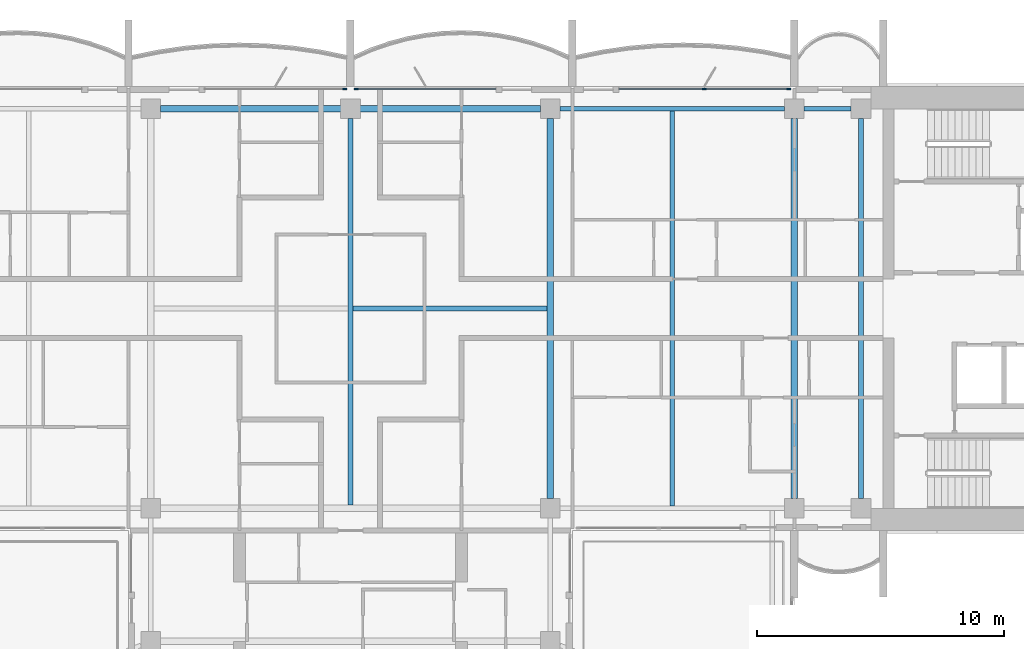
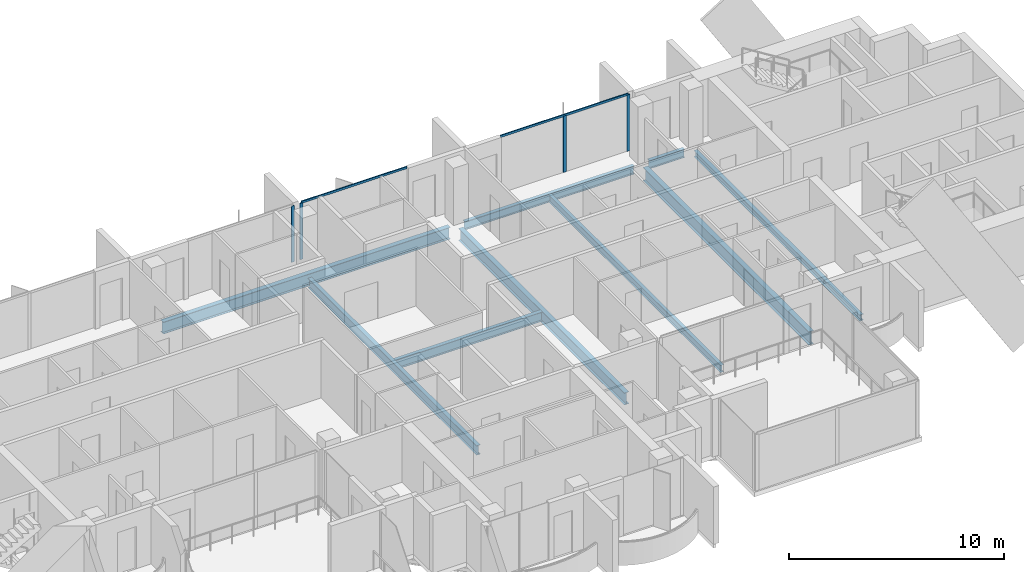
# One storey, part 4 of 16: 9 beams, 6 members, 3 elements without a shape of their own.
"""IFC4 building model written with IfcOpenShell, lengths in metres."""

from ifc_helpers import new_model, si_unit, direction, frame, origin, origin_2d, place, context, subcontext, project, spatial, rectangle, i_section, extrude, material, material_profile, profile_set, type_object, element, aggregate, save


model = new_model("IFC4")

# Units and contexts
model_context = context("Model", 3, precision=1e-05, world=origin(), true_north=direction((0.0, 1.0)))
body_context = subcontext(model_context, "Body", "Model", "MODEL_VIEW")
ifc_project = project(units=[si_unit("LENGTHUNIT", "METRE"), si_unit("AREAUNIT", "SQUARE_METRE"), si_unit("VOLUMEUNIT", "CUBIC_METRE"), si_unit("PLANEANGLEUNIT", "RADIAN"), si_unit("MASSUNIT", "GRAM", prefix="KILO")], contexts=[model_context])

# Site, building, storey
site_placement = place(None, origin())
site = spatial("IfcSite", under=ifc_project, at=site_placement, CompositionType="ELEMENT")
building_placement = place(site_placement, origin())
building = spatial("IfcBuilding", under=site, at=building_placement, Name="Perihelion Cross Residences", CompositionType="ELEMENT")
storey_placement = place(building_placement, frame((0.0, 0.0, 260.5)))
storey = spatial("IfcBuildingStorey", under=building, at=storey_placement, Name="L66", CompositionType="ELEMENT", Elevation=260.5)

# Curtain wall, members
ifc_material_1 = material(Name="Bronze anodised aluminium, tinted glazing", Category="aluminium")
curtain_wall_type = type_object("IfcCurtainWallType", Name="CW1", PredefinedType="NOTDEFINED", material=ifc_material_1)
curtain_wall_1_placement = place(storey_placement, origin())
curtain_wall_1 = element("IfcCurtainWall", 1, at=curtain_wall_1_placement, inside=storey, type_object=curtain_wall_type, Name="Curtain wall CW1 L66 east side north bay 2", PredefinedType="NOTDEFINED")
ifc_material_2 = material(Name="Bronze anodised aluminium", Category="aluminium")
ifc_material_profile_1 = material_profile(ifc_material_2, rectangle(XDim=0.06005859375, YDim=0.159912109375, at=origin_2d()), Name="CW1 mullion")
ifc_profile_set_1 = profile_set([ifc_material_profile_1], Name="Bronze anodised aluminium")
member_type_1 = type_object("IfcMemberType", Name="CW1 mullion", PredefinedType="MULLION", material=ifc_profile_set_1)
member_1_placement = place(storey_placement, frame((17.77001953125, 8.89990234375, 0.0), z_axis=(0.0, 0.0, 1.0), x_axis=(0.0, -1.0, 0.0)))
member_1 = element("IfcMember", 2, at=member_1_placement, type_object=member_type_1, Name="CW1 mullion 1", PredefinedType="MULLION", context=body_context, shape_type="SweptSolid", body=[
    extrude(rectangle(XDim=0.06005859375, YDim=0.159912109375, at=origin_2d()), origin(), (0.0, 0.0, 1.0), 3.18994140625),
])
member_2_placement = place(storey_placement, frame((14.35009765625, 8.89990234375, 0.0), z_axis=(0.0, 0.0, 1.0), x_axis=(0.0, -1.0, 0.0)))
member_2 = element("IfcMember", 3, at=member_2_placement, type_object=member_type_1, Name="CW1 mullion 2", PredefinedType="MULLION", context=body_context, shape_type="SweptSolid", body=[
    extrude(rectangle(XDim=0.06005859375, YDim=0.159912109375, at=origin_2d()), origin(), (0.0, 0.0, 1.0), 3.18994140625),
])

# Curtain wall, member
curtain_wall_2_placement = place(storey_placement, origin())
curtain_wall_2 = element("IfcCurtainWall", 4, at=curtain_wall_2_placement, inside=storey, type_object=curtain_wall_type, Name="Curtain wall CW1 L66 north side east bay 1", PredefinedType="NOTDEFINED")
member_3_placement = place(storey_placement, frame((0.22998046875, 8.89990234375, 0.0), z_axis=(0.0, 0.0, 1.0), x_axis=(0.0, -1.0, 0.0)))
member_3 = element("IfcMember", 5, at=member_3_placement, type_object=member_type_1, Name="CW1 mullion 2", PredefinedType="MULLION", context=body_context, shape_type="SweptSolid", body=[
    extrude(rectangle(XDim=0.06005859375, YDim=0.159912109375, at=origin_2d()), origin(), (0.0, 0.0, 1.0), 3.18994140625),
])

curtain_wall_3_placement = place(storey_placement, origin())
curtain_wall_3 = element("IfcCurtainWall", 6, at=curtain_wall_3_placement, inside=storey, type_object=curtain_wall_type, Name="Curtain wall CW1 L66 north side east bay 2", PredefinedType="NOTDEFINED")
member_4_placement = place(storey_placement, frame((-0.22998046875, 8.89990234375, 0.0), z_axis=(0.0, 0.0, 1.0), x_axis=(0.0, -1.0, 0.0)))
member_4 = element("IfcMember", 7, at=member_4_placement, type_object=member_type_1, Name="CW1 mullion 1", PredefinedType="MULLION", context=body_context, shape_type="SweptSolid", body=[
    extrude(rectangle(XDim=0.06005859375, YDim=0.159912109375, at=origin_2d()), origin(), (0.0, 0.0, 1.0), 3.18994140625),
])
aggregate(curtain_wall_3, [member_4])

# Member
ifc_material_3 = material(Name="Bronze anodised aluminium", Category="aluminium")
ifc_material_profile_2 = material_profile(ifc_material_3, rectangle(XDim=0.06005859375, YDim=0.1201171875, at=origin_2d()), Name="CW1 transom")
ifc_profile_set_2 = profile_set([ifc_material_profile_2], Name="Bronze anodised aluminium")
member_type_2 = type_object("IfcMemberType", Name="CW1 transom", PredefinedType="USERDEFINED", material=ifc_profile_set_2)
member_5_placement = place(storey_placement, frame((17.77001953125, 8.89990234375, 3.219970703125), z_axis=(-1.0, 0.0, 0.0), x_axis=(0.0, -1.0, 0.0)))
member_5 = element("IfcMember", 8, at=member_5_placement, type_object=member_type_2, Name="CW1 head transom", ObjectType="TRANSOM", PredefinedType="USERDEFINED", context=body_context, shape_type="SweptSolid", body=[
    extrude(rectangle(XDim=0.06005859375, YDim=0.1201171875, at=origin_2d()), origin(), (0.0, 0.0, 1.0), 6.8701171875),
])

aggregate(curtain_wall_1, [member_1, member_2, member_5])

member_6_placement = place(storey_placement, frame((5.89990234375, 8.89990234375, 3.219970703125), z_axis=(-1.0, 0.0, 0.0), x_axis=(0.0, -1.0, 0.0)))
member_6 = element("IfcMember", 9, at=member_6_placement, type_object=member_type_2, Name="CW1 head transom", ObjectType="TRANSOM", PredefinedType="USERDEFINED", context=body_context, shape_type="SweptSolid", body=[
    extrude(rectangle(XDim=0.06005859375, YDim=0.1201171875, at=origin_2d()), origin(), (0.0, 0.0, 1.0), 5.669921875),
])

aggregate(curtain_wall_2, [member_3, member_6])

# Beams
ifc_material_4 = material(Name="Steel S355", Category="steel")
ifc_material_profile_3 = material_profile(ifc_material_4, i_section(OverallWidth=0.205078125, OverallDepth=0.35302734375, WebThickness=0.009521484375, FlangeThickness=0.016845703125, at=origin_2d()), Name="W360x79")
ifc_profile_set_3 = profile_set([ifc_material_profile_3], Name="Steel S355")
beam_type_1 = type_object("IfcBeamType", Name="Core edge beam W360x79", PredefinedType="BEAM", material=ifc_profile_set_3)
beam_1_placement = place(storey_placement, frame((20.699951171875, -7.699951171875, -0.426513671875), z_axis=(0.0, 1.0, 0.0), x_axis=(-1.0, 0.0, 0.0)))
element("IfcBeam", 10, at=beam_1_placement, inside=storey, type_object=beam_type_1, Name="Core edge beam TB7 L66 no. 2", PredefinedType="BEAM", context=body_context, shape_type="SweptSolid", body=[
    extrude(i_section(OverallWidth=0.205078125, OverallDepth=0.35302734375, WebThickness=0.009521484375, FlangeThickness=0.016845703125, at=origin_2d()), origin(), (0.0, 0.0, 1.0), 15.39990234375),
])
ifc_material_5 = material(Name="Steel S355", Category="steel")
ifc_material_profile_4 = material_profile(ifc_material_5, i_section(OverallWidth=0.194091796875, OverallDepth=0.469970703125, WebThickness=0.0126953125, FlangeThickness=0.0205078125, at=origin_2d()), Name="W460x106")
ifc_profile_set_4 = profile_set([ifc_material_profile_4], Name="Steel S355")
beam_type_2 = type_object("IfcBeamType", Name="Edge beam W460x106", PredefinedType="SPANDREL", material=ifc_profile_set_4)
beam_2_placement = place(storey_placement, frame((20.300048828125, 8.10009765625, -0.485107421875), z_axis=(-1.0, 0.0, 0.0), x_axis=(0.0, -1.0, 0.0)))
element("IfcBeam", 11, at=beam_2_placement, inside=storey, type_object=beam_type_2, Name="Edge beam SB5 L66 no. 10", PredefinedType="SPANDREL", context=body_context, shape_type="SweptSolid", body=[
    extrude(i_section(OverallWidth=0.194091796875, OverallDepth=0.469970703125, WebThickness=0.0126953125, FlangeThickness=0.0205078125, at=origin_2d()), origin(), (0.0, 0.0, 1.0), 1.900146484375),
])
beam_3_placement = place(storey_placement, frame((17.60009765625, 8.10009765625, -0.485107421875), z_axis=(-1.0, 0.0, 0.0), x_axis=(0.0, -1.0, 0.0)))
element("IfcBeam", 12, at=beam_3_placement, inside=storey, type_object=beam_type_2, Name="Edge beam SB5 L66 no. 9", PredefinedType="SPANDREL", context=body_context, shape_type="SweptSolid", body=[
    extrude(i_section(OverallWidth=0.194091796875, OverallDepth=0.469970703125, WebThickness=0.0126953125, FlangeThickness=0.0205078125, at=origin_2d()), origin(), (0.0, 0.0, 1.0), 9.10009765625),
])
ifc_material_6 = material(Name="Steel S355", Category="steel")
ifc_material_profile_5 = material_profile(ifc_material_6, i_section(OverallWidth=0.26708984375, OverallDepth=0.75390625, WebThickness=0.01318359375, FlangeThickness=0.01708984375, at=origin_2d()), Name="W760x147")
ifc_profile_set_5 = profile_set([ifc_material_profile_5], Name="Steel S355")
beam_type_3 = type_object("IfcBeamType", Name="Floor girder W760x147", PredefinedType="BEAM", material=ifc_profile_set_5)
beam_4_placement = place(storey_placement, frame((18.0, -7.699951171875, -0.626953125), z_axis=(0.0, 1.0, 0.0), x_axis=(-1.0, 0.0, 0.0)))
element("IfcBeam", 13, at=beam_4_placement, inside=storey, type_object=beam_type_3, Name="Girder G5 L66 no. 2", PredefinedType="BEAM", context=body_context, shape_type="SweptSolid", body=[
    extrude(i_section(OverallWidth=0.26708984375, OverallDepth=0.75390625, WebThickness=0.01318359375, FlangeThickness=0.01708984375, at=origin_2d()), origin(), (0.0, 0.0, 1.0), 15.39990234375),
])
ifc_material_7 = material(Name="Steel S355", Category="steel")
ifc_material_profile_6 = material_profile(ifc_material_7, i_section(OverallWidth=0.177978515625, OverallDepth=0.406005859375, WebThickness=0.0078125, FlangeThickness=0.0126953125, at=origin_2d()), Name="W410x60")
ifc_profile_set_6 = profile_set([ifc_material_profile_6], Name="Steel S355")
beam_type_4 = type_object("IfcBeamType", Name="Floor joist W410x60", PredefinedType="JOIST", material=ifc_profile_set_6)
beam_5_placement = place(storey_placement, frame((13.050048828125, -8.0029296875, -0.452880859375), z_axis=(0.0, 1.0, 0.0), x_axis=(-1.0, 0.0, 0.0)))
element("IfcBeam", 14, at=beam_5_placement, inside=storey, type_object=beam_type_4, Name="Joist J6 L66 no. 2", PredefinedType="JOIST", context=body_context, shape_type="SweptSolid", body=[
    extrude(i_section(OverallWidth=0.177978515625, OverallDepth=0.406005859375, WebThickness=0.0078125, FlangeThickness=0.0126953125, at=origin_2d()), origin(), (0.0, 0.0, 1.0), 16.005859375),
])
ifc_material_8 = material(Name="Steel S355", Category="steel")
ifc_material_profile_7 = material_profile(ifc_material_8, i_section(OverallWidth=0.208984375, OverallDepth=0.532958984375, WebThickness=0.01025390625, FlangeThickness=0.015625, at=origin_2d()), Name="W530x92")
ifc_profile_set_7 = profile_set([ifc_material_profile_7], Name="Steel S355")
beam_type_5 = type_object("IfcBeamType", Name="Hub cross beam W530x92", PredefinedType="BEAM", material=ifc_profile_set_7)
beam_6_placement = place(storey_placement, frame((0.0, -7.972900390625, -0.5166015625), z_axis=(0.0, 1.0, 0.0), x_axis=(-1.0, 0.0, 0.0)))
element("IfcBeam", 15, at=beam_6_placement, inside=storey, type_object=beam_type_5, Name="Hub cross beam XB5 L66 no. 1", PredefinedType="BEAM", context=body_context, shape_type="SweptSolid", body=[
    extrude(i_section(OverallWidth=0.208984375, OverallDepth=0.532958984375, WebThickness=0.01025390625, FlangeThickness=0.015625, at=origin_2d()), origin(), (0.0, 0.0, 1.0), 15.6728515625),
])
beam_7_placement = place(storey_placement, frame((0.1044921875, 0.0, -0.5166015625), z_axis=(1.0, 0.0, 0.0), x_axis=(0.0, 1.0, 0.0)))
element("IfcBeam", 16, at=beam_7_placement, inside=storey, type_object=beam_type_5, Name="Hub cross beam XB5 L66 2 no. 1", PredefinedType="BEAM", context=body_context, shape_type="SweptSolid", body=[
    extrude(i_section(OverallWidth=0.208984375, OverallDepth=0.532958984375, WebThickness=0.01025390625, FlangeThickness=0.015625, at=origin_2d()), origin(), (0.0, 0.0, 1.0), 7.868408203125),
])
ifc_material_9 = material(Name="Steel S355", Category="steel")
ifc_material_profile_8 = material_profile(ifc_material_9, i_section(OverallWidth=0.25390625, OverallDepth=0.677978515625, WebThickness=0.01171875, FlangeThickness=0.016357421875, at=origin_2d()), Name="W690x125")
ifc_profile_set_8 = profile_set([ifc_material_profile_8], Name="Steel S355")
beam_type_6 = type_object("IfcBeamType", Name="Hub ring girder W690x125", PredefinedType="BEAM", material=ifc_profile_set_8)
for number, where, z_axis, x_axis, name in (
    (17, (8.10009765625, -7.699951171875, -0.589111328125), (0.0, 1.0, 0.0), (-1.0, 0.0, 0.0), "Hub ring girder RG5 L66 no. 3"),
    (18, (7.699951171875, 8.10009765625, -0.589111328125), (-1.0, 0.0, 0.0), (0.0, -1.0, 0.0), "Hub ring girder RG5 L66 no. 4"),
):
    element("IfcBeam", number, at=place(storey_placement, frame(where, z_axis=z_axis, x_axis=x_axis)), inside=storey, type_object=beam_type_6, Name=name, PredefinedType="BEAM", context=body_context, shape_type="SweptSolid", body=[
        extrude(i_section(OverallWidth=0.25390625, OverallDepth=0.677978515625, WebThickness=0.01171875, FlangeThickness=0.016357421875, at=origin_2d()), origin(), (0.0, 0.0, 1.0), 15.39990234375),
    ])

save(model, "model.ifc")
